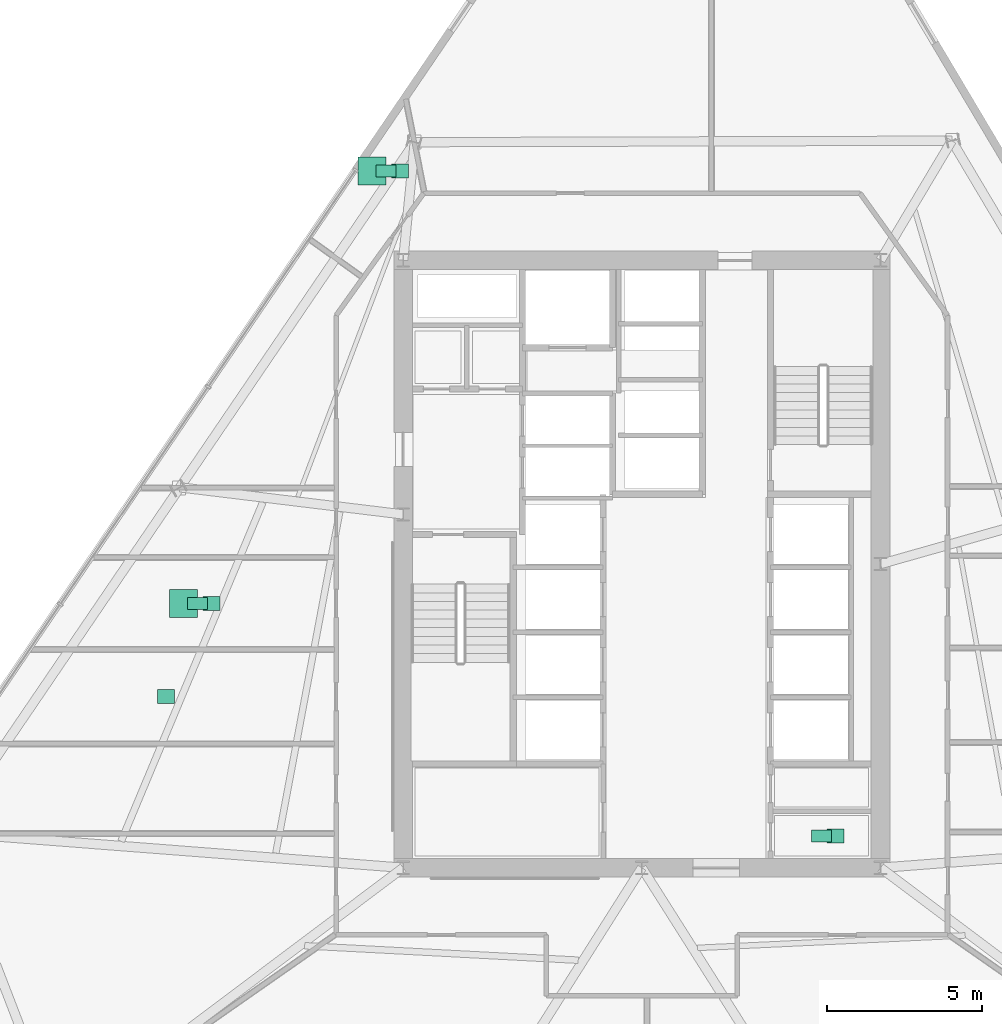
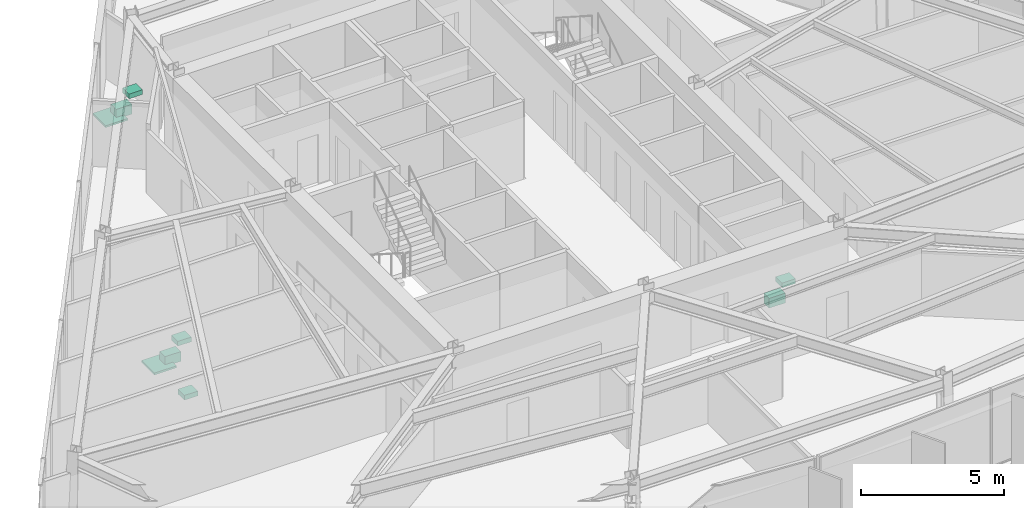
# One storey, part 15 of 15: 9 sanitary terminals.
"""IFC4 building model written with IfcOpenShell, lengths in metres."""

from ifc_helpers import new_model, si_unit, direction, frame, origin, origin_2d, place, context, subcontext, project, spatial, rectangle, extrude, material, type_object, element, save


model = new_model("IFC4")

# Units and contexts
model_context = context("Model", 3, precision=1e-05, world=origin(), true_north=direction((0.0, 1.0)))
body_context = subcontext(model_context, "Body", "Model", "MODEL_VIEW")
ifc_project = project(units=[si_unit("LENGTHUNIT", "METRE"), si_unit("AREAUNIT", "SQUARE_METRE"), si_unit("VOLUMEUNIT", "CUBIC_METRE"), si_unit("PLANEANGLEUNIT", "RADIAN"), si_unit("MASSUNIT", "GRAM", prefix="KILO")], contexts=[model_context])

# Site, building, storey
site_placement = place(None, origin())
site = spatial("IfcSite", under=ifc_project, at=site_placement, CompositionType="ELEMENT")
building_placement = place(site_placement, origin())
building = spatial("IfcBuilding", under=site, at=building_placement, Name="Savorim Split Tower", CompositionType="ELEMENT")
storey_placement = place(building_placement, frame((0.0, 0.0, 100.5)))
storey = spatial("IfcBuildingStorey", under=building, at=storey_placement, Name="L26", CompositionType="ELEMENT", Elevation=100.5)

# Sanitary terminals
ifc_material = material(Name="Vitreous China Sanitaryware")
sanitary_terminal_type_1 = type_object("IfcSanitaryTerminalType", Name="SAN-SHW-900", PredefinedType="SHOWER", material=ifc_material)
for number, where, z_axis, x_axis, name in (
    (1, (-14.7822265625, -0.869140625, 0.0), (0.0, 0.0, 1.0), (1.0, 0.0, 0.0), "L26 Shared Bathroom Shower"),
    (2, (-8.70556640625, 13.077392578125, 0.0), (0.0, 0.0, 1.0), (1.0, 0.0, 0.0), "L26 Shared Bathroom Shower"),
):
    element("IfcSanitaryTerminal", number, at=place(storey_placement, frame(where, z_axis=z_axis, x_axis=x_axis)), inside=storey, type_object=sanitary_terminal_type_1, Name=name, PredefinedType="SHOWER", context=body_context, shape_type="SweptSolid", body=[
        extrude(rectangle(XDim=0.89990234375, YDim=0.89990234375, at=origin_2d()), origin(), (0.0, 0.0, 1.0), 0.080078125),
    ])
sanitary_terminal_type_2 = type_object("IfcSanitaryTerminalType", Name="SAN-WC-PAN", PredefinedType="TOILETPAN", material=ifc_material)
for number, where, z_axis, x_axis, name in (
    (3, (5.800048828125, -8.3701171875, 0.0), (0.0, 0.0, 1.0), (1.0, 0.0, 0.0), "L26 Accessible WC WC Pan"),
    (4, (-14.332275390625, -0.869140625, 0.0), (0.0, 0.0, 1.0), (1.0, 0.0, 0.0), "L26 Shared Bathroom WC Pan"),
    (5, (-8.255615234375, 13.077392578125, 0.0), (0.0, 0.0, 1.0), (1.0, 0.0, 0.0), "L26 Shared Bathroom WC Pan"),
):
    element("IfcSanitaryTerminal", number, at=place(storey_placement, frame(where, z_axis=z_axis, x_axis=x_axis)), inside=storey, type_object=sanitary_terminal_type_2, Name=name, PredefinedType="TOILETPAN", context=body_context, shape_type="SweptSolid", body=[
        extrude(rectangle(XDim=0.64990234375, YDim=0.3798828125, at=origin_2d()), origin(), (0.0, 0.0, 1.0), 0.419921875),
    ])
sanitary_terminal_type_3 = type_object("IfcSanitaryTerminalType", Name="SAN-WHB-550", PredefinedType="WASHHANDBASIN", material=ifc_material)
for number, where, z_axis, x_axis, name in (
    (6, (6.25, -8.3701171875, 0.72021484375), (0.0, 0.0, 1.0), (1.0, 0.0, 0.0), "L26 Accessible WC Washhand Basin"),
    (7, (-13.88232421875, -0.869140625, 0.72021484375), (0.0, 0.0, 1.0), (1.0, 0.0, 0.0), "L26 Shared Bathroom Washhand Basin"),
    (8, (-15.35595703125, -3.87890625, 0.75), (0.0, 0.0, 1.0), (1.0, 0.0, 0.0), "L26 Shared Kitchen Utility Sink"),
    (9, (-7.8056640625, 13.077392578125, 0.72021484375), (0.0, 0.0, 1.0), (1.0, 0.0, 0.0), "L26 Shared Bathroom Washhand Basin"),
):
    element("IfcSanitaryTerminal", number, at=place(storey_placement, frame(where, z_axis=z_axis, x_axis=x_axis)), inside=storey, type_object=sanitary_terminal_type_3, Name=name, PredefinedType="WASHHANDBASIN", context=body_context, shape_type="SweptSolid", body=[
        extrude(rectangle(XDim=0.550048828125, YDim=0.449951171875, at=origin_2d()), origin(), (0.0, 0.0, 1.0), 0.199951171875),
    ])

save(model, "model.ifc")
